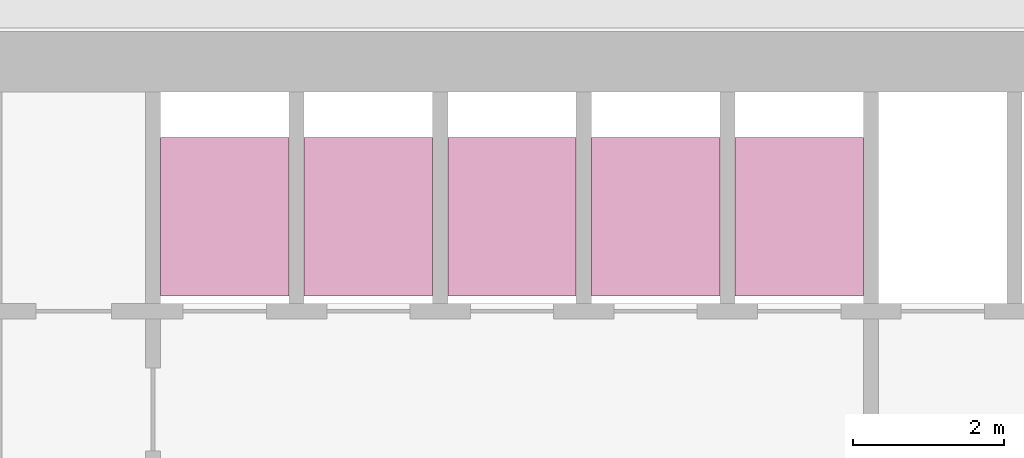
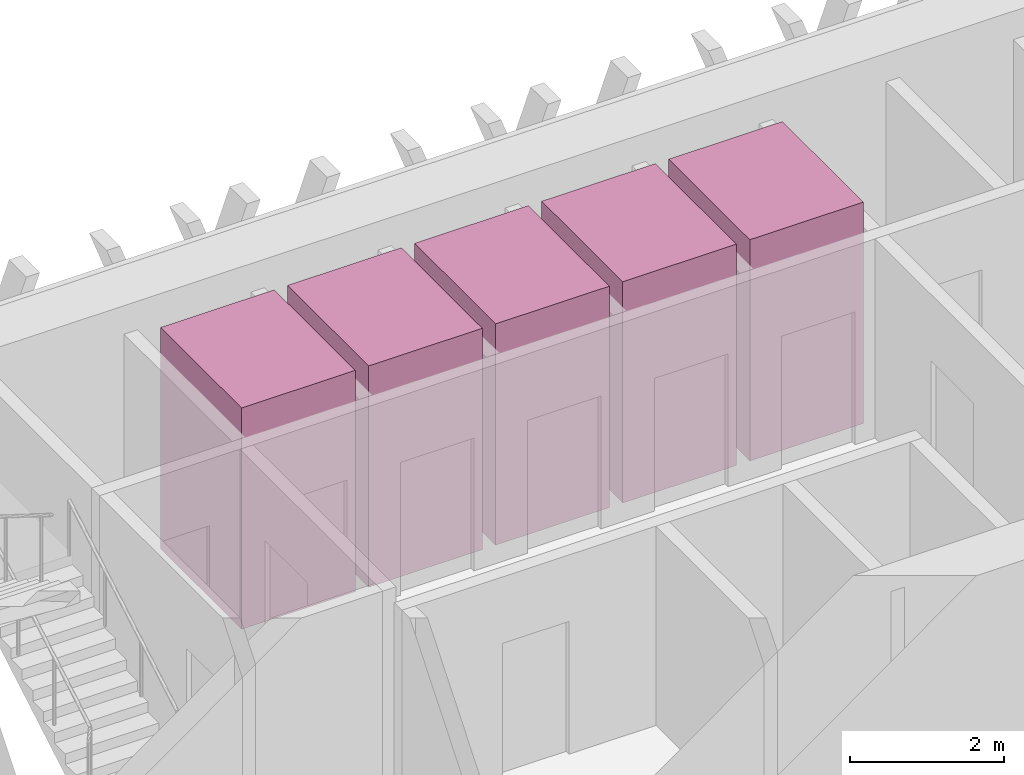
# One storey, part 16 of 16: 5 transport elements.
"""IFC4 building model written with IfcOpenShell, lengths in metres."""

from ifc_helpers import new_model, si_unit, direction, frame, origin, origin_2d, place, context, subcontext, project, spatial, rectangle, extrude, material, type_object, element, save


model = new_model("IFC4")

# Units and contexts
model_context = context("Model", 3, precision=1e-05, world=origin(), true_north=direction((0.0, 1.0)))
body_context = subcontext(model_context, "Body", "Model", "MODEL_VIEW")
ifc_project = project(units=[si_unit("LENGTHUNIT", "METRE"), si_unit("AREAUNIT", "SQUARE_METRE"), si_unit("VOLUMEUNIT", "CUBIC_METRE"), si_unit("PLANEANGLEUNIT", "RADIAN"), si_unit("MASSUNIT", "GRAM", prefix="KILO")], contexts=[model_context])

# Site, building, storey
site_placement = place(None, origin())
site = spatial("IfcSite", under=ifc_project, at=site_placement, CompositionType="ELEMENT")
building_placement = place(site_placement, origin())
building = spatial("IfcBuilding", under=site, at=building_placement, Name="Altiplano Prism Tower", CompositionType="ELEMENT")
storey_placement = place(building_placement, frame((0.0, 0.0, 149.39990234375)))
storey = spatial("IfcBuildingStorey", under=building, at=storey_placement, Name="L38", CompositionType="ELEMENT", Elevation=149.39990234375)

# Transport elements
ifc_material = material(Name="Stainless steel lift car", Category="steel")
transport_element_type = type_object("IfcTransportElementType", Name="Passenger lift car 1600 x 2100", PredefinedType="ELEVATOR", material=ifc_material)
for number, where, z_axis, x_axis, name in (
    (1, (79.050048828125, 101.75, 0.050048828125), (0.0, 0.0, 1.0), (1.0, 0.0, 0.0), "Mid Zone Passenger Lift 1"),
    (2, (80.949951171875, 101.75, 0.050048828125), (0.0, 0.0, 1.0), (1.0, 0.0, 0.0), "Mid Zone Passenger Lift 2"),
    (3, (82.85009765625, 101.75, 0.050048828125), (0.0, 0.0, 1.0), (1.0, 0.0, 0.0), "Mid Zone Passenger Lift 3"),
    (4, (84.75, 101.75, 0.050048828125), (0.0, 0.0, 1.0), (1.0, 0.0, 0.0), "Mid Zone Passenger Lift 4"),
    (5, (86.64990234375, 101.75, 0.050048828125), (0.0, 0.0, 1.0), (1.0, 0.0, 0.0), "Mid Zone Passenger Lift 5"),
):
    element("IfcTransportElement", number, at=place(storey_placement, frame(where, z_axis=z_axis, x_axis=x_axis)), inside=storey, type_object=transport_element_type, Name=name, PredefinedType="ELEVATOR", context=body_context, shape_type="SweptSolid", body=[
        extrude(rectangle(XDim=1.699951171875, YDim=2.10009765625, at=origin_2d()), origin(), (0.0, 0.0, 1.0), 3.5),
    ])

save(model, "model.ifc")
